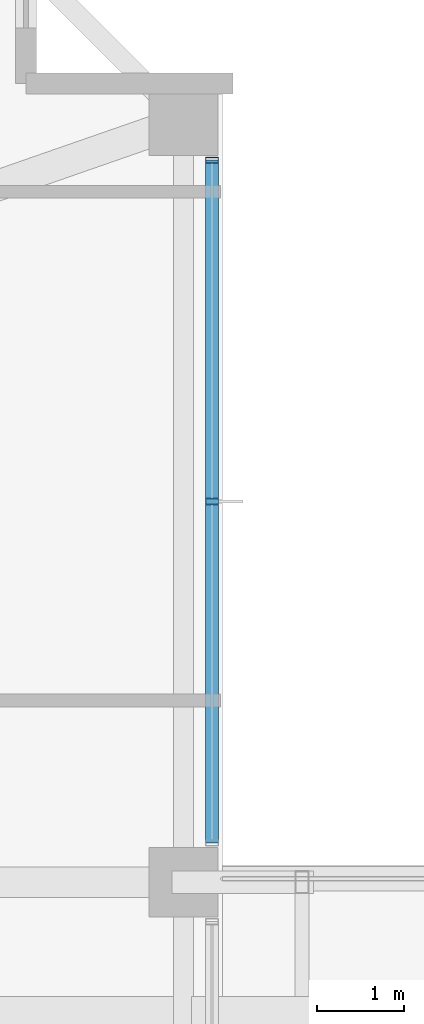
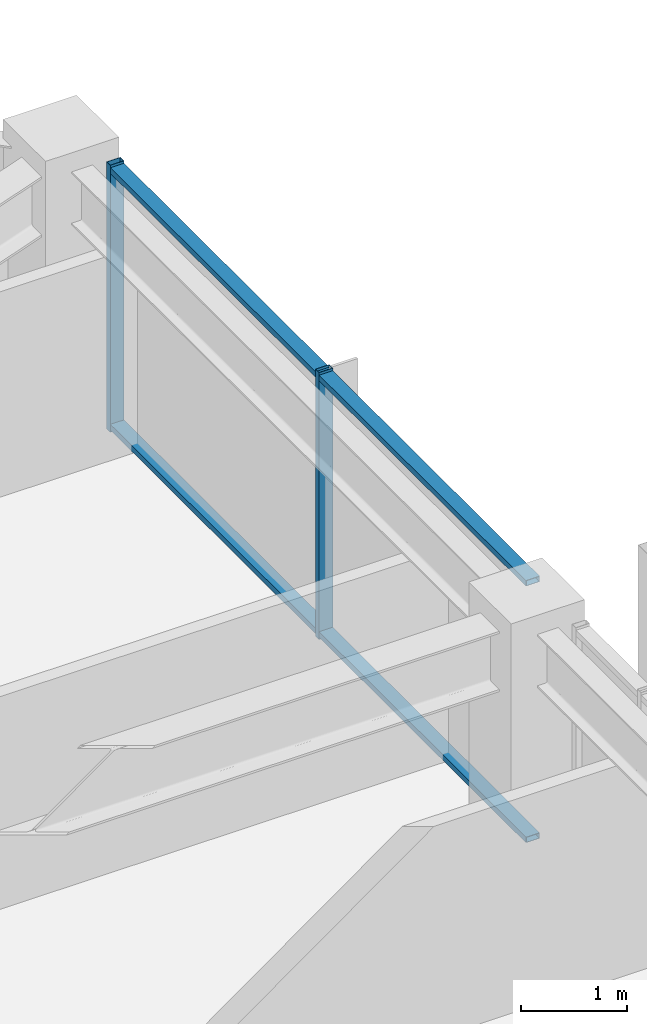
# One storey, part 24 of 38: 4 members, 1 element without a shape of its own.
"""IFC4 building model written with IfcOpenShell, lengths in metres."""

from ifc_helpers import new_model, si_unit, direction, frame, origin, origin_2d, place, context, subcontext, project, spatial, hollow_rectangle, extrude, material, material_profile, profile_set, type_object, element, aggregate, save


model = new_model("IFC4")

# Units and contexts
model_context = context("Model", 3, precision=1e-05, world=origin(), true_north=direction((0.0, 1.0)))
body_context = subcontext(model_context, "Body", "Model", "MODEL_VIEW")
ifc_project = project(units=[si_unit("LENGTHUNIT", "METRE"), si_unit("AREAUNIT", "SQUARE_METRE"), si_unit("VOLUMEUNIT", "CUBIC_METRE"), si_unit("PLANEANGLEUNIT", "RADIAN"), si_unit("MASSUNIT", "GRAM", prefix="KILO")], contexts=[model_context])

# Site, building, storey
site_placement = place(None, origin())
site = spatial("IfcSite", under=ifc_project, at=site_placement, CompositionType="ELEMENT")
building_placement = place(site_placement, origin())
building = spatial("IfcBuilding", under=site, at=building_placement, Name="Kolvaren Belvedere", CompositionType="ELEMENT")
storey_placement = place(building_placement, frame((0.0, 0.0, 206.39990234375)))
storey = spatial("IfcBuildingStorey", under=building, at=storey_placement, Name="L60", CompositionType="ELEMENT", Elevation=206.39990234375)

# Curtain wall, members
ifc_material_1 = material(Name="Anodised pale-metal aluminium AA 6063-T6", Category="aluminium")
curtain_wall_type = type_object("IfcCurtainWallType", Name="CW-Z5-HIGH", PredefinedType="NOTDEFINED", material=ifc_material_1)
curtain_wall_placement = place(storey_placement, origin())
curtain_wall = element("IfcCurtainWall", 1, at=curtain_wall_placement, inside=storey, type_object=curtain_wall_type, Name="L60 Unitised Curtain Wall FCW-L60-E1-B1", PredefinedType="NOTDEFINED")
ifc_material_2 = material(Name="Anodised pale-metal aluminium AA 6063-T6", Category="aluminium")
ifc_material_profile_1 = material_profile(ifc_material_2, hollow_rectangle(XDim=0.070068359375, YDim=0.14990234375, WallThickness=0.004150390625, at=origin_2d()), Name="ALU-MUL-150X70")
ifc_profile_set_1 = profile_set([ifc_material_profile_1], Name="Anodised pale-metal aluminium AA 6063-T6")
member_type_1 = type_object("IfcMemberType", Name="CW-MUL-150", PredefinedType="MULLION", material=ifc_profile_set_1)
member_1_placement = place(storey_placement, frame((20.280029296875, 12.945068359375, 0.0), z_axis=(0.0, 0.0, 1.0), x_axis=(0.0, 1.0, 0.0)))
member_1 = element("IfcMember", 2, at=member_1_placement, type_object=member_type_1, Name="FCW-L60-E1-B1 Unitised Mullion 1", PredefinedType="MULLION", context=body_context, shape_type="SweptSolid", body=[
    extrude(hollow_rectangle(XDim=0.070068359375, YDim=0.14990234375, WallThickness=0.004150390625, at=origin_2d()), origin(), (0.0, 0.0, 1.0), 3.080078125),
])
member_2_placement = place(storey_placement, frame((20.280029296875, 9.0, 0.0), z_axis=(0.0, 0.0, 1.0), x_axis=(0.0, 1.0, 0.0)))
member_2 = element("IfcMember", 3, at=member_2_placement, type_object=member_type_1, Name="FCW-L60-E1-B1 Unitised Mullion 2", PredefinedType="MULLION", context=body_context, shape_type="SweptSolid", body=[
    extrude(hollow_rectangle(XDim=0.070068359375, YDim=0.14990234375, WallThickness=0.004150390625, at=origin_2d()), origin(), (0.0, 0.0, 1.0), 3.080078125),
])
ifc_material_3 = material(Name="Anodised pale-metal aluminium AA 6063-T6", Category="aluminium")
ifc_material_profile_2 = material_profile(ifc_material_3, hollow_rectangle(XDim=0.06494140625, YDim=0.14990234375, WallThickness=0.00390625, at=origin_2d()), Name="ALU-TRN-150X65")
ifc_profile_set_2 = profile_set([ifc_material_profile_2], Name="Anodised pale-metal aluminium AA 6063-T6")
member_type_2 = type_object("IfcMemberType", Name="CW-TRN-150", PredefinedType="USERDEFINED", material=ifc_profile_set_2)
member_3_placement = place(storey_placement, frame((20.280029296875, 12.945068359375, 0.06005859375), z_axis=(0.0, -1.0, 0.0), x_axis=(0.0, 0.0, 1.0)))
member_3 = element("IfcMember", 4, at=member_3_placement, type_object=member_type_2, Name="FCW-L60-E1-B1 Sill Transom", ObjectType="TRANSOM", PredefinedType="USERDEFINED", context=body_context, shape_type="SweptSolid", body=[
    extrude(hollow_rectangle(XDim=0.06494140625, YDim=0.14990234375, WallThickness=0.00390625, at=origin_2d()), origin(), (0.0, 0.0, 1.0), 7.89013671875),
])
member_4_placement = place(storey_placement, frame((20.280029296875, 12.945068359375, 3.02001953125), z_axis=(0.0, -1.0, 0.0), x_axis=(0.0, 0.0, 1.0)))
member_4 = element("IfcMember", 5, at=member_4_placement, type_object=member_type_2, Name="FCW-L60-E1-B1 Head Transom", ObjectType="TRANSOM", PredefinedType="USERDEFINED", context=body_context, shape_type="SweptSolid", body=[
    extrude(hollow_rectangle(XDim=0.06494140625, YDim=0.14990234375, WallThickness=0.00390625, at=origin_2d()), origin(), (0.0, 0.0, 1.0), 7.89013671875),
])
aggregate(curtain_wall, [member_1, member_2, member_3, member_4])

save(model, "model.ifc")
